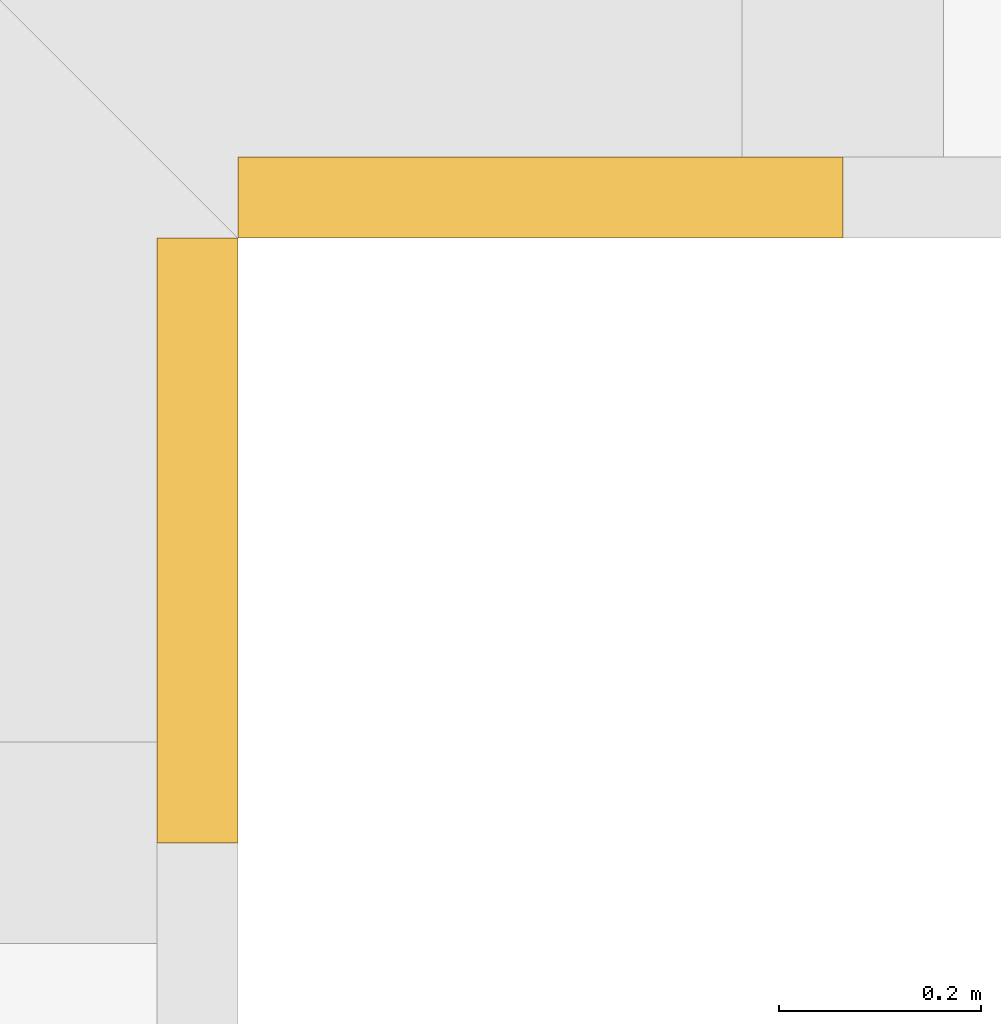
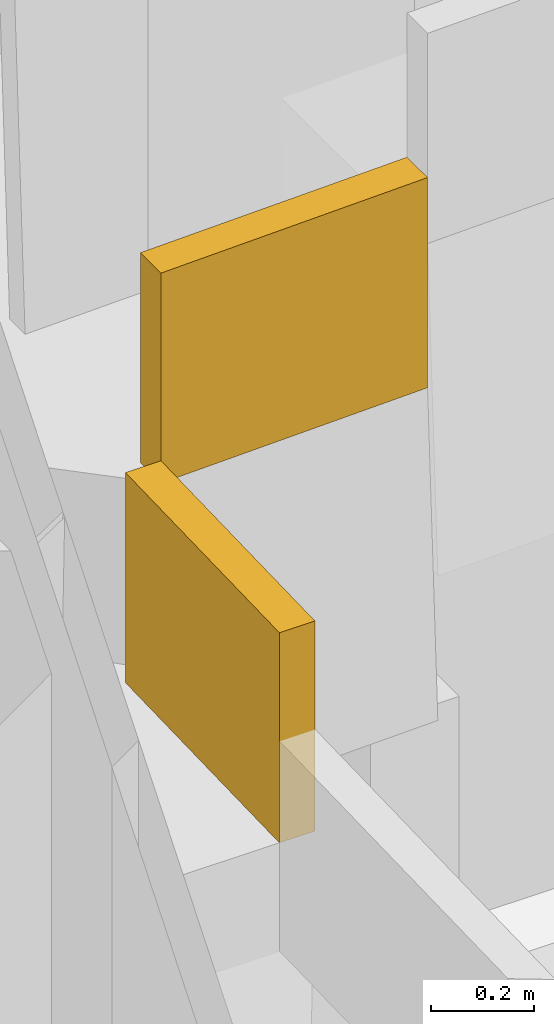
# One storey, part 30 of 30: 2 coverings.
"""IFC4 building model written with IfcOpenShell, lengths in metres."""

import ifcopenshell
import ifcopenshell.guid

model = None  # the IFC model being written
_history = None  # IfcOwnerHistory: only IFC2X3 demands one
_inside = {}  # id of a spatial element -> (the spatial element, [elements in it])
_under = {}  # id of a project, library or spatial element -> (it, [spatial elements below it])
_declared = {}  # id of a project -> (the project, [libraries it declares])
_typed = {}  # id of a type object -> (the type object, [elements of that type])
_made_of = {}  # id of a material, layer set ... -> (it, [elements and type objects made of it])


def new_model(schema):
    """Start an empty IFC model of exactly this schema.

    Asked for "IFC4X3", IfcOpenShell would pick the latest addendum, in which some entities
    have other attributes; the version numbers below select the first issue.
    IFC2X3 requires an IfcOwnerHistory on every rooted entity: one is made here for all.
    """
    global model, _history
    if schema == "IFC4X3":
        model = ifcopenshell.file(schema_version=(4, 3, 0, 0))
    else:
        model = ifcopenshell.file(schema=schema)
    _inside.clear()
    _under.clear()
    _declared.clear()
    _typed.clear()
    _made_of.clear()
    _history = None
    if model.schema == "IFC2X3":
        org = make("IfcOrganization", Name="unknown")
        user = make(
            "IfcPersonAndOrganization",
            ThePerson=make("IfcPerson", FamilyName="unknown"),
            TheOrganization=org,
        )
        app = make(
            "IfcApplication",
            ApplicationDeveloper=org,
            Version="unknown",
            ApplicationFullName="unknown",
            ApplicationIdentifier="unknown",
        )
        _history = make(
            "IfcOwnerHistory",
            OwningUser=user,
            OwningApplication=app,
            ChangeAction="ADDED",
            CreationDate=0,
        )
    return model


def make(cls, **values):
    """One entity of the class cls with the attributes given. An attribute that is None is left unset."""
    return model.create_entity(
        cls, **{name: value for name, value in values.items() if value is not None}
    )


def rooted(cls, **values):
    """An entity with a GlobalId (a new one), such as an element, a storey or a relation."""
    return make(cls, GlobalId=ifcopenshell.guid.new(), OwnerHistory=_history, **values)


def si_unit(unit_type, name, prefix=None):
    """IfcSIUnit, for example si_unit("LENGTHUNIT", "METRE", prefix="MILLI")."""
    return make("IfcSIUnit", UnitType=unit_type, Prefix=prefix, Name=name)


def assignment(units):
    """IfcUnitAssignment: the units of a project."""
    return None if units is None else make("IfcUnitAssignment", Units=units)


def point(xyz):
    """IfcCartesianPoint."""
    return None if xyz is None else make("IfcCartesianPoint", Coordinates=xyz)


def direction(xyz):
    """IfcDirection."""
    return None if xyz is None else make("IfcDirection", DirectionRatios=xyz)


def frame(location, z_axis=None, x_axis=None):
    """IfcAxis2Placement3D, a coordinate frame: its origin and axes. An axis left out is left unset."""
    return make(
        "IfcAxis2Placement3D",
        Location=point(location),
        Axis=direction(z_axis),
        RefDirection=direction(x_axis),
    )


def origin():
    """The frame at (0, 0, 0) with its axes left unset."""
    return frame((0.0, 0.0, 0.0))


def place(relative_to, where):
    """IfcLocalPlacement: puts the frame where relative to a parent placement (None: the world)."""
    return make(
        "IfcLocalPlacement", PlacementRelTo=relative_to, RelativePlacement=where
    )


def context(
    kind, dimensions, precision=None, world=None, true_north=None, identifier=None
):
    """IfcGeometricRepresentationContext, for example the 3D "Model" context."""
    return make(
        "IfcGeometricRepresentationContext",
        ContextIdentifier=identifier,
        ContextType=kind,
        CoordinateSpaceDimension=dimensions,
        Precision=precision,
        WorldCoordinateSystem=world,
        TrueNorth=true_north,
    )


def subcontext(parent, identifier, kind, view, scale=None):
    """IfcGeometricRepresentationSubContext, for example "Body" below "Model"."""
    return make(
        "IfcGeometricRepresentationSubContext",
        ContextIdentifier=identifier,
        ContextType=kind,
        ParentContext=parent,
        TargetScale=scale,
        TargetView=view,
    )


def project(units=None, contexts=None):
    """IfcProject with its units and contexts."""
    return rooted(
        "IfcProject",
        Name="project",
        RepresentationContexts=contexts,
        UnitsInContext=assignment(units),
    )


def spatial(cls, under=None, at=None, **own):
    """A site, building, storey or space (cls), placed at a placement, below another one or the project."""
    s = rooted(cls, ObjectPlacement=at, **own)
    if under is not None:
        _under.setdefault(under.id(), (under, []))[1].append(s)
    return s


def polyline(points):
    """IfcPolyline through the points."""
    return make("IfcPolyline", Points=[point(p) for p in points])


def outline(outer, holes=None, kind="AREA"):
    """IfcArbitraryClosedProfileDef: a profile drawn as a closed curve; with holes, ...WithVoids."""
    if holes is None:
        return make("IfcArbitraryClosedProfileDef", ProfileType=kind, OuterCurve=outer)
    return make(
        "IfcArbitraryProfileDefWithVoids",
        ProfileType=kind,
        OuterCurve=outer,
        InnerCurves=holes,
    )


def extrude(swept, where, along, depth):
    """IfcExtrudedAreaSolid: the profile swept, set in the frame where, extruded along a direction by depth."""
    return make(
        "IfcExtrudedAreaSolid",
        SweptArea=swept,
        Position=where,
        ExtrudedDirection=direction(along),
        Depth=depth,
    )


def shape(context_of_items, identifier, shape_type, items):
    """IfcShapeRepresentation: the items that make up one representation, for example the "Body"."""
    return make(
        "IfcShapeRepresentation",
        ContextOfItems=context_of_items,
        RepresentationIdentifier=identifier,
        RepresentationType=shape_type,
        Items=items,
    )


def material(Name=None, Category=None):
    """IfcMaterial."""
    return make("IfcMaterial", Name=Name, Category=Category)


def layer(
    of_material, thickness, ventilated=None, Name=None, Category=None, Priority=None
):
    """IfcMaterialLayer: one layer of a wall or slab, of a material (None: an air gap)."""
    return make(
        "IfcMaterialLayer",
        Material=of_material,
        LayerThickness=thickness,
        IsVentilated=ventilated,
        Name=Name,
        Category=Category,
        Priority=Priority,
    )


def layer_set(layers, Name=None):
    """IfcMaterialLayerSet."""
    return make("IfcMaterialLayerSet", MaterialLayers=layers, LayerSetName=Name)


def made_of(thing, what):
    """Note that an element or type object is made of a material, layer set ...; save() writes the relation."""
    if what is not None:
        _made_of.setdefault(what.id(), (what, []))[1].append(thing)
    return thing


def type_object(cls, material=None, **own):
    """A type object (cls), such as IfcWallType, which elements share."""
    return made_of(rooted(cls, **own), material)


def element(
    cls,
    number,
    at=None,
    inside=None,
    cuts=None,
    type_object=None,
    material=None,
    context=None,
    identifier="Body",
    shape_type=None,
    held_by="IfcProductDefinitionShape",
    body=None,
    shapes=None,
    **own,
):
    """One element of the class cls, such as IfcWall. Its Tag is "e" and its number.

    at: its placement. inside: the storey or other place that contains it. cuts: it is an
    opening in that element (IfcRelVoidsElement). A single representation is given by context,
    identifier, shape_type and body (its items); several are given by shapes. held_by: the class
    of the entity that holds the representations. save() writes the other relations.
    """
    e = rooted(cls, Tag="e%d" % number, ObjectPlacement=at, **own)
    if body is not None:
        shapes = [shape(context, identifier, shape_type, body)]
    if shapes is not None:
        e.Representation = make(held_by, Representations=shapes)
    if inside is not None:
        _inside.setdefault(inside.id(), (inside, []))[1].append(e)
    if cuts is not None:
        rooted(
            "IfcRelVoidsElement", RelatingBuildingElement=cuts, RelatedOpeningElement=e
        )
    if type_object is not None:
        _typed.setdefault(type_object.id(), (type_object, []))[1].append(e)
    return made_of(e, material)


def aggregate(whole, parts):
    """IfcRelAggregates: a whole, such as a stair, and the parts it consists of."""
    return rooted("IfcRelAggregates", RelatingObject=whole, RelatedObjects=parts)


def save(model, path):
    """Write the relations noted so far, then the file.

    IfcRelAggregates (storeys below a building ...), IfcRelContainedInSpatialStructure (elements
    in a storey), IfcRelDefinesByType, IfcRelAssociatesMaterial and IfcRelDeclares: one each for
    every whole, place, type object, material and project.
    """
    for whole, parts in _under.values():
        aggregate(whole, parts)
    for where, things in _inside.values():
        rooted(
            "IfcRelContainedInSpatialStructure",
            RelatedElements=things,
            RelatingStructure=where,
        )
    for kind, things in _typed.values():
        rooted("IfcRelDefinesByType", RelatedObjects=things, RelatingType=kind)
    for what, things in _made_of.values():
        rooted("IfcRelAssociatesMaterial", RelatedObjects=things, RelatingMaterial=what)
    for by, libraries in _declared.values():
        rooted("IfcRelDeclares", RelatingContext=by, RelatedDefinitions=libraries)
    model.write(path)


model = new_model("IFC4")

# Units and contexts
model_context = context("Model", 3, precision=1e-05, world=origin(), true_north=direction((0.0, 1.0)))
body_context = subcontext(model_context, "Body", "Model", "MODEL_VIEW")
ifc_project = project(units=[si_unit("LENGTHUNIT", "METRE"), si_unit("AREAUNIT", "SQUARE_METRE"), si_unit("VOLUMEUNIT", "CUBIC_METRE"), si_unit("PLANEANGLEUNIT", "RADIAN"), si_unit("MASSUNIT", "GRAM", prefix="KILO")], contexts=[model_context])

# Site, building, storey
site_placement = place(None, origin())
site = spatial("IfcSite", under=ifc_project, at=site_placement, CompositionType="ELEMENT")
building_placement = place(site_placement, origin())
building = spatial("IfcBuilding", under=site, at=building_placement, Name="Saffron Gate Tower", CompositionType="ELEMENT")
storey_placement = place(building_placement, frame((0.0, 0.0, 127.64990234375)))
storey = spatial("IfcBuildingStorey", under=building, at=storey_placement, Name="L30", CompositionType="ELEMENT", Elevation=127.64990234375)

# Coverings
ifc_material = material(Name="Timber, thermally modified ash", Category="wood")
ifc_layer = layer(ifc_material, 0.080078125)
ifc_layer_set = layer_set([ifc_layer], Name="LD2 ledge planter trough")
covering_type = type_object("IfcCoveringType", Name="LD2 ledge planter trough", PredefinedType="CLADDING", material=ifc_layer_set)
for number, where, z_axis, x_axis, name in (
    (1, (124.800048828125, 31.800048828125, 2.39501953125), (1.0, 0.0, 0.0), (0.0, 0.999582742162, 0.028884971385), "LEDGE planter trough"),
    (2, (124.800048828125, 32.39990234375, 2.85888671875), (0.0, -1.0, 0.0), (0.999582742162, 0.0, 0.028884971385), "LEDGE planter trough"),
):
    element("IfcCovering", number, at=place(storey_placement, frame(where, z_axis=z_axis, x_axis=x_axis)), inside=storey, type_object=covering_type, Name=name, PredefinedType="CLADDING", context=body_context, shape_type="SweptSolid", body=[
        extrude(outline(polyline([(0.0, 0.0), (0.6001039136866089, 0.0), (0.614546399379222, 0.4997913710809928), (0.014442485692613144, 0.49979137108099286), (0.0, 0.0)])), origin(), (0.0, 0.0, -1.0), 0.080078125),
    ])

save(model, "model.ifc")
